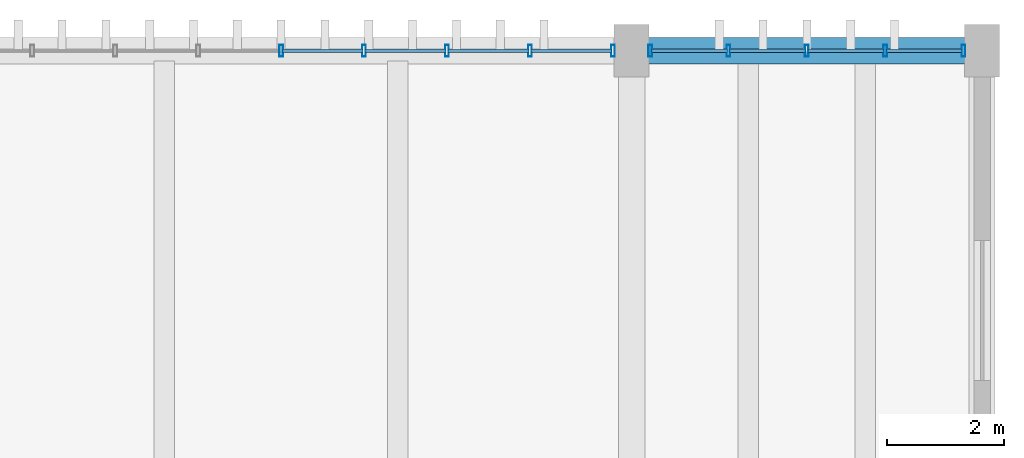
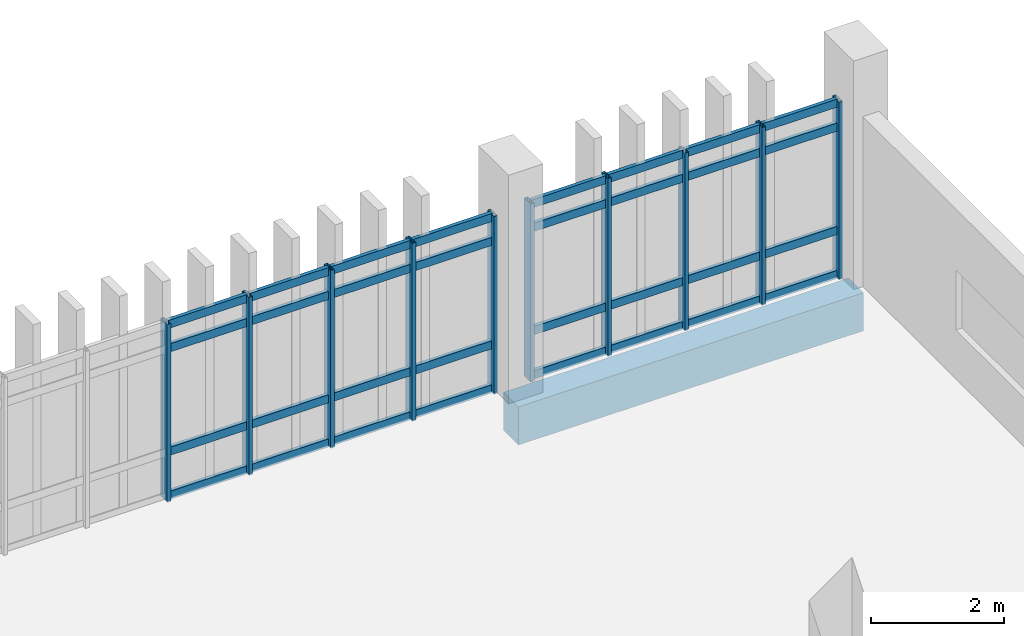
# One storey, part 120 of 161: 42 members, 1 beam, 2 elements without a shape of their own.
"""IFC4 building model written with IfcOpenShell, lengths in metres."""

from ifc_helpers import new_model, si_unit, direction, frame, origin, origin_2d, place, context, subcontext, project, spatial, rectangle, hollow_rectangle, extrude, material, layer, layer_set, material_profile, profile_set, type_object, element, aggregate, save


model = new_model("IFC4")

# Units and contexts
model_context = context("Model", 3, precision=1e-05, world=origin(), true_north=direction((0.0, 1.0)))
body_context = subcontext(model_context, "Body", "Model", "MODEL_VIEW")
ifc_project = project(units=[si_unit("LENGTHUNIT", "METRE"), si_unit("AREAUNIT", "SQUARE_METRE"), si_unit("VOLUMEUNIT", "CUBIC_METRE"), si_unit("PLANEANGLEUNIT", "RADIAN"), si_unit("MASSUNIT", "GRAM", prefix="KILO")], contexts=[model_context])

# Site, building, storey
site_placement = place(None, origin())
site = spatial("IfcSite", under=ifc_project, at=site_placement, CompositionType="ELEMENT")
building_placement = place(site_placement, origin())
building = spatial("IfcBuilding", under=site, at=building_placement, Name="Mersad Railyard Sports Hall", CompositionType="ELEMENT")
storey_placement = place(building_placement, frame((0.0, 0.0, 4.800048828125)))
storey = spatial("IfcBuildingStorey", under=building, at=storey_placement, Name="L01", CompositionType="ELEMENT", Elevation=4.800048828125)

# Curtain wall, members
ifc_material_1 = material(Name="Aluminium 6063-T6", Category="aluminium")
ifc_layer_1 = layer(ifc_material_1, 0.199951171875)
ifc_layer_set_1 = layer_set([ifc_layer_1], Name="Aluminium 6063-T6")
curtain_wall_type_1 = type_object("IfcCurtainWallType", Name="ARC-CW-CW34", PredefinedType="USERDEFINED", material=ifc_layer_set_1)
curtain_wall_1_placement = place(storey_placement, origin())
curtain_wall_1 = element("IfcCurtainWall", 1, at=curtain_wall_1_placement, inside=storey, type_object=curtain_wall_type_1, Name="Curtain wall CW34-0102", ObjectType="CURTAIN WALL", PredefinedType="USERDEFINED")
ifc_material_profile_1 = material_profile(ifc_material_1, hollow_rectangle(XDim=0.06494140625, YDim=0.199951171875, WallThickness=0.0048828125, at=origin_2d()), Name="AL MULLION 65x200x5")
ifc_profile_set_1 = profile_set([ifc_material_profile_1], Name="Aluminium 6063-T6")
member_type_1 = type_object("IfcMemberType", Name="ARC-CW-MUL02", PredefinedType="MULLION", material=ifc_profile_set_1)
member_1_placement = place(storey_placement, frame((167.0, 115.0, -0.02001953125), z_axis=(0.0, 0.0, 1.0), x_axis=(1.0, 0.0, 0.0)))
member_1 = element("IfcMember", 2, at=member_1_placement, type_object=member_type_1, Name="CW34 Mullion 5", PredefinedType="MULLION", context=body_context, shape_type="SweptSolid", body=[
    extrude(hollow_rectangle(XDim=0.06494140625, YDim=0.199951171875, WallThickness=0.0048828125, at=origin_2d()), origin(), (0.0, 0.0, 1.0), 3.27001953125),
])
member_2_placement = place(storey_placement, frame((168.419921875, 115.0, -0.02001953125), z_axis=(0.0, 0.0, 1.0), x_axis=(1.0, 0.0, 0.0)))
member_2 = element("IfcMember", 3, at=member_2_placement, type_object=member_type_1, Name="CW34 Mullion 6", PredefinedType="MULLION", context=body_context, shape_type="SweptSolid", body=[
    extrude(hollow_rectangle(XDim=0.06494140625, YDim=0.199951171875, WallThickness=0.0048828125, at=origin_2d()), origin(), (0.0, 0.0, 1.0), 3.27001953125),
])
member_3_placement = place(storey_placement, frame((169.840087890625, 115.0, -0.02001953125), z_axis=(0.0, 0.0, 1.0), x_axis=(1.0, 0.0, 0.0)))
member_3 = element("IfcMember", 4, at=member_3_placement, type_object=member_type_1, Name="CW34 Mullion 7", PredefinedType="MULLION", context=body_context, shape_type="SweptSolid", body=[
    extrude(hollow_rectangle(XDim=0.06494140625, YDim=0.199951171875, WallThickness=0.0048828125, at=origin_2d()), origin(), (0.0, 0.0, 1.0), 3.27001953125),
])
member_4_placement = place(storey_placement, frame((171.260009765625, 115.0, -0.02001953125), z_axis=(0.0, 0.0, 1.0), x_axis=(1.0, 0.0, 0.0)))
member_4 = element("IfcMember", 5, at=member_4_placement, type_object=member_type_1, Name="CW34 Mullion 8", PredefinedType="MULLION", context=body_context, shape_type="SweptSolid", body=[
    extrude(hollow_rectangle(XDim=0.06494140625, YDim=0.199951171875, WallThickness=0.0048828125, at=origin_2d()), origin(), (0.0, 0.0, 1.0), 3.27001953125),
])
member_5_placement = place(storey_placement, frame((172.679931640625, 115.0, -0.02001953125), z_axis=(0.0, 0.0, 1.0), x_axis=(1.0, 0.0, 0.0)))
member_5 = element("IfcMember", 6, at=member_5_placement, type_object=member_type_1, Name="CW34 Mullion 9", PredefinedType="MULLION", context=body_context, shape_type="SweptSolid", body=[
    extrude(hollow_rectangle(XDim=0.06494140625, YDim=0.199951171875, WallThickness=0.0048828125, at=origin_2d()), origin(), (0.0, 0.0, 1.0), 3.27001953125),
])

ifc_layer_2 = layer(ifc_material_1, 0.199951171875)
ifc_layer_set_2 = layer_set([ifc_layer_2], Name="Aluminium 6063-T6")
curtain_wall_type_2 = type_object("IfcCurtainWallType", Name="ARC-CW-CW36", PredefinedType="USERDEFINED", material=ifc_layer_set_2)
curtain_wall_2_placement = place(storey_placement, origin())
curtain_wall_2 = element("IfcCurtainWall", 7, at=curtain_wall_2_placement, inside=storey, type_object=curtain_wall_type_2, Name="Curtain wall CW36-0103", ObjectType="CURTAIN WALL", PredefinedType="USERDEFINED")
member_6_placement = place(storey_placement, frame((173.320068359375, 115.0, -0.02001953125), z_axis=(0.0, 0.0, 1.0), x_axis=(1.0, 0.0, 0.0)))
member_6 = element("IfcMember", 8, at=member_6_placement, type_object=member_type_1, Name="CW36 Mullion 1", PredefinedType="MULLION", context=body_context, shape_type="SweptSolid", body=[
    extrude(hollow_rectangle(XDim=0.06494140625, YDim=0.199951171875, WallThickness=0.0048828125, at=origin_2d()), origin(), (0.0, 0.0, 1.0), 3.27001953125),
])
member_7_placement = place(storey_placement, frame((174.659912109375, 115.0, -0.02001953125), z_axis=(0.0, 0.0, 1.0), x_axis=(1.0, 0.0, 0.0)))
member_7 = element("IfcMember", 9, at=member_7_placement, type_object=member_type_1, Name="CW36 Mullion 2", PredefinedType="MULLION", context=body_context, shape_type="SweptSolid", body=[
    extrude(hollow_rectangle(XDim=0.06494140625, YDim=0.199951171875, WallThickness=0.0048828125, at=origin_2d()), origin(), (0.0, 0.0, 1.0), 3.27001953125),
])
member_8_placement = place(storey_placement, frame((176.0, 115.0, -0.02001953125), z_axis=(0.0, 0.0, 1.0), x_axis=(1.0, 0.0, 0.0)))
member_8 = element("IfcMember", 10, at=member_8_placement, type_object=member_type_1, Name="CW36 Mullion 3", PredefinedType="MULLION", context=body_context, shape_type="SweptSolid", body=[
    extrude(hollow_rectangle(XDim=0.06494140625, YDim=0.199951171875, WallThickness=0.0048828125, at=origin_2d()), origin(), (0.0, 0.0, 1.0), 3.27001953125),
])
member_9_placement = place(storey_placement, frame((177.340087890625, 115.0, -0.02001953125), z_axis=(0.0, 0.0, 1.0), x_axis=(1.0, 0.0, 0.0)))
member_9 = element("IfcMember", 11, at=member_9_placement, type_object=member_type_1, Name="CW36 Mullion 4", PredefinedType="MULLION", context=body_context, shape_type="SweptSolid", body=[
    extrude(hollow_rectangle(XDim=0.06494140625, YDim=0.199951171875, WallThickness=0.0048828125, at=origin_2d()), origin(), (0.0, 0.0, 1.0), 3.27001953125),
])
member_10_placement = place(storey_placement, frame((178.679931640625, 115.0, -0.02001953125), z_axis=(0.0, 0.0, 1.0), x_axis=(1.0, 0.0, 0.0)))
member_10 = element("IfcMember", 12, at=member_10_placement, type_object=member_type_1, Name="CW36 Mullion 5", PredefinedType="MULLION", context=body_context, shape_type="SweptSolid", body=[
    extrude(hollow_rectangle(XDim=0.06494140625, YDim=0.199951171875, WallThickness=0.0048828125, at=origin_2d()), origin(), (0.0, 0.0, 1.0), 3.27001953125),
])

# Member
ifc_material_profile_2 = material_profile(ifc_material_1, hollow_rectangle(XDim=0.06494140625, YDim=0.14990234375, WallThickness=0.00439453125, at=origin_2d()), Name="AL TRANSOM 65x150x4.5")
ifc_profile_set_2 = profile_set([ifc_material_profile_2], Name="Aluminium 6063-T6")
member_type_2 = type_object("IfcMemberType", Name="ARC-CW-TRN02", PredefinedType="USERDEFINED", material=ifc_profile_set_2)
member_11_placement = place(storey_placement, frame((167.02001953125, 115.0, 0.0400390625), z_axis=(1.0, 0.0, 0.0), x_axis=(0.0, 1.0, 0.0)))
member_11 = element("IfcMember", 13, at=member_11_placement, type_object=member_type_2, Name="CW34 Transom 1-5", ObjectType="TRANSOM", PredefinedType="USERDEFINED", context=body_context, shape_type="SweptSolid", body=[
    extrude(hollow_rectangle(XDim=0.06494140625, YDim=0.14990234375, WallThickness=0.00439453125, at=origin_2d()), origin(), (0.0, 0.0, 1.0), 1.3798828125),
])

member_12_placement = place(storey_placement, frame((168.43994140625, 115.0, 0.0400390625), z_axis=(1.0, 0.0, 0.0), x_axis=(0.0, 1.0, 0.0)))
member_12 = element("IfcMember", 14, at=member_12_placement, type_object=member_type_2, Name="CW34 Transom 1-6", ObjectType="TRANSOM", PredefinedType="USERDEFINED", context=body_context, shape_type="SweptSolid", body=[
    extrude(hollow_rectangle(XDim=0.06494140625, YDim=0.14990234375, WallThickness=0.00439453125, at=origin_2d()), origin(), (0.0, 0.0, 1.0), 1.380126953125),
])

member_13_placement = place(storey_placement, frame((169.860107421875, 115.0, 0.0400390625), z_axis=(1.0, 0.0, 0.0), x_axis=(0.0, 1.0, 0.0)))
member_13 = element("IfcMember", 15, at=member_13_placement, type_object=member_type_2, Name="CW34 Transom 1-7", ObjectType="TRANSOM", PredefinedType="USERDEFINED", context=body_context, shape_type="SweptSolid", body=[
    extrude(hollow_rectangle(XDim=0.06494140625, YDim=0.14990234375, WallThickness=0.00439453125, at=origin_2d()), origin(), (0.0, 0.0, 1.0), 1.3798828125),
])

member_14_placement = place(storey_placement, frame((171.280029296875, 115.0, 0.0400390625), z_axis=(1.0, 0.0, 0.0), x_axis=(0.0, 1.0, 0.0)))
member_14 = element("IfcMember", 16, at=member_14_placement, type_object=member_type_2, Name="CW34 Transom 1-8", ObjectType="TRANSOM", PredefinedType="USERDEFINED", context=body_context, shape_type="SweptSolid", body=[
    extrude(hollow_rectangle(XDim=0.06494140625, YDim=0.14990234375, WallThickness=0.00439453125, at=origin_2d()), origin(), (0.0, 0.0, 1.0), 1.3798828125),
])

member_15_placement = place(storey_placement, frame((167.02001953125, 115.0, 0.849853515625), z_axis=(1.0, 0.0, 0.0), x_axis=(0.0, 1.0, 0.0)))
member_15 = element("IfcMember", 17, at=member_15_placement, type_object=member_type_2, Name="CW34 Transom 2-5", ObjectType="TRANSOM", PredefinedType="USERDEFINED", context=body_context, shape_type="SweptSolid", body=[
    extrude(hollow_rectangle(XDim=0.06494140625, YDim=0.14990234375, WallThickness=0.00439453125, at=origin_2d()), origin(), (0.0, 0.0, 1.0), 1.3798828125),
])

member_16_placement = place(storey_placement, frame((168.43994140625, 115.0, 0.849853515625), z_axis=(1.0, 0.0, 0.0), x_axis=(0.0, 1.0, 0.0)))
member_16 = element("IfcMember", 18, at=member_16_placement, type_object=member_type_2, Name="CW34 Transom 2-6", ObjectType="TRANSOM", PredefinedType="USERDEFINED", context=body_context, shape_type="SweptSolid", body=[
    extrude(hollow_rectangle(XDim=0.06494140625, YDim=0.14990234375, WallThickness=0.00439453125, at=origin_2d()), origin(), (0.0, 0.0, 1.0), 1.380126953125),
])

member_17_placement = place(storey_placement, frame((169.860107421875, 115.0, 0.849853515625), z_axis=(1.0, 0.0, 0.0), x_axis=(0.0, 1.0, 0.0)))
member_17 = element("IfcMember", 19, at=member_17_placement, type_object=member_type_2, Name="CW34 Transom 2-7", ObjectType="TRANSOM", PredefinedType="USERDEFINED", context=body_context, shape_type="SweptSolid", body=[
    extrude(hollow_rectangle(XDim=0.06494140625, YDim=0.14990234375, WallThickness=0.00439453125, at=origin_2d()), origin(), (0.0, 0.0, 1.0), 1.3798828125),
])

member_18_placement = place(storey_placement, frame((171.280029296875, 115.0, 0.849853515625), z_axis=(1.0, 0.0, 0.0), x_axis=(0.0, 1.0, 0.0)))
member_18 = element("IfcMember", 20, at=member_18_placement, type_object=member_type_2, Name="CW34 Transom 2-8", ObjectType="TRANSOM", PredefinedType="USERDEFINED", context=body_context, shape_type="SweptSolid", body=[
    extrude(hollow_rectangle(XDim=0.06494140625, YDim=0.14990234375, WallThickness=0.00439453125, at=origin_2d()), origin(), (0.0, 0.0, 1.0), 1.3798828125),
])

member_19_placement = place(storey_placement, frame((167.02001953125, 115.0, 2.75), z_axis=(1.0, 0.0, 0.0), x_axis=(0.0, 1.0, 0.0)))
member_19 = element("IfcMember", 21, at=member_19_placement, type_object=member_type_2, Name="CW34 Transom 3-5", ObjectType="TRANSOM", PredefinedType="USERDEFINED", context=body_context, shape_type="SweptSolid", body=[
    extrude(hollow_rectangle(XDim=0.06494140625, YDim=0.14990234375, WallThickness=0.00439453125, at=origin_2d()), origin(), (0.0, 0.0, 1.0), 1.3798828125),
])

member_20_placement = place(storey_placement, frame((168.43994140625, 115.0, 2.75), z_axis=(1.0, 0.0, 0.0), x_axis=(0.0, 1.0, 0.0)))
member_20 = element("IfcMember", 22, at=member_20_placement, type_object=member_type_2, Name="CW34 Transom 3-6", ObjectType="TRANSOM", PredefinedType="USERDEFINED", context=body_context, shape_type="SweptSolid", body=[
    extrude(hollow_rectangle(XDim=0.06494140625, YDim=0.14990234375, WallThickness=0.00439453125, at=origin_2d()), origin(), (0.0, 0.0, 1.0), 1.380126953125),
])

member_21_placement = place(storey_placement, frame((169.860107421875, 115.0, 2.75), z_axis=(1.0, 0.0, 0.0), x_axis=(0.0, 1.0, 0.0)))
member_21 = element("IfcMember", 23, at=member_21_placement, type_object=member_type_2, Name="CW34 Transom 3-7", ObjectType="TRANSOM", PredefinedType="USERDEFINED", context=body_context, shape_type="SweptSolid", body=[
    extrude(hollow_rectangle(XDim=0.06494140625, YDim=0.14990234375, WallThickness=0.00439453125, at=origin_2d()), origin(), (0.0, 0.0, 1.0), 1.3798828125),
])

member_22_placement = place(storey_placement, frame((171.280029296875, 115.0, 2.75), z_axis=(1.0, 0.0, 0.0), x_axis=(0.0, 1.0, 0.0)))
member_22 = element("IfcMember", 24, at=member_22_placement, type_object=member_type_2, Name="CW34 Transom 3-8", ObjectType="TRANSOM", PredefinedType="USERDEFINED", context=body_context, shape_type="SweptSolid", body=[
    extrude(hollow_rectangle(XDim=0.06494140625, YDim=0.14990234375, WallThickness=0.00439453125, at=origin_2d()), origin(), (0.0, 0.0, 1.0), 1.3798828125),
])

member_23_placement = place(storey_placement, frame((167.02001953125, 115.0, 3.18994140625), z_axis=(1.0, 0.0, 0.0), x_axis=(0.0, 1.0, 0.0)))
member_23 = element("IfcMember", 25, at=member_23_placement, type_object=member_type_2, Name="CW34 Transom 4-5", ObjectType="TRANSOM", PredefinedType="USERDEFINED", context=body_context, shape_type="SweptSolid", body=[
    extrude(hollow_rectangle(XDim=0.06494140625, YDim=0.14990234375, WallThickness=0.00439453125, at=origin_2d()), origin(), (0.0, 0.0, 1.0), 1.3798828125),
])

member_24_placement = place(storey_placement, frame((168.43994140625, 115.0, 3.18994140625), z_axis=(1.0, 0.0, 0.0), x_axis=(0.0, 1.0, 0.0)))
member_24 = element("IfcMember", 26, at=member_24_placement, type_object=member_type_2, Name="CW34 Transom 4-6", ObjectType="TRANSOM", PredefinedType="USERDEFINED", context=body_context, shape_type="SweptSolid", body=[
    extrude(hollow_rectangle(XDim=0.06494140625, YDim=0.14990234375, WallThickness=0.00439453125, at=origin_2d()), origin(), (0.0, 0.0, 1.0), 1.380126953125),
])

member_25_placement = place(storey_placement, frame((169.860107421875, 115.0, 3.18994140625), z_axis=(1.0, 0.0, 0.0), x_axis=(0.0, 1.0, 0.0)))
member_25 = element("IfcMember", 27, at=member_25_placement, type_object=member_type_2, Name="CW34 Transom 4-7", ObjectType="TRANSOM", PredefinedType="USERDEFINED", context=body_context, shape_type="SweptSolid", body=[
    extrude(hollow_rectangle(XDim=0.06494140625, YDim=0.14990234375, WallThickness=0.00439453125, at=origin_2d()), origin(), (0.0, 0.0, 1.0), 1.3798828125),
])

member_26_placement = place(storey_placement, frame((171.280029296875, 115.0, 3.18994140625), z_axis=(1.0, 0.0, 0.0), x_axis=(0.0, 1.0, 0.0)))
member_26 = element("IfcMember", 28, at=member_26_placement, type_object=member_type_2, Name="CW34 Transom 4-8", ObjectType="TRANSOM", PredefinedType="USERDEFINED", context=body_context, shape_type="SweptSolid", body=[
    extrude(hollow_rectangle(XDim=0.06494140625, YDim=0.14990234375, WallThickness=0.00439453125, at=origin_2d()), origin(), (0.0, 0.0, 1.0), 1.3798828125),
])

aggregate(curtain_wall_1, [member_1, member_2, member_3, member_4, member_5, member_11, member_12, member_13, member_14, member_15, member_16, member_17, member_18, member_19, member_20, member_21, member_22, member_23, member_24, member_25, member_26])

member_27_placement = place(storey_placement, frame((173.340087890625, 115.0, 0.0400390625), z_axis=(1.0, 0.0, 0.0), x_axis=(0.0, 1.0, 0.0)))
member_27 = element("IfcMember", 29, at=member_27_placement, type_object=member_type_2, Name="CW36 Transom 1-1", ObjectType="TRANSOM", PredefinedType="USERDEFINED", context=body_context, shape_type="SweptSolid", body=[
    extrude(hollow_rectangle(XDim=0.06494140625, YDim=0.14990234375, WallThickness=0.00439453125, at=origin_2d()), origin(), (0.0, 0.0, 1.0), 1.2998046875),
])

member_28_placement = place(storey_placement, frame((174.679931640625, 115.0, 0.0400390625), z_axis=(1.0, 0.0, 0.0), x_axis=(0.0, 1.0, 0.0)))
member_28 = element("IfcMember", 30, at=member_28_placement, type_object=member_type_2, Name="CW36 Transom 1-2", ObjectType="TRANSOM", PredefinedType="USERDEFINED", context=body_context, shape_type="SweptSolid", body=[
    extrude(hollow_rectangle(XDim=0.06494140625, YDim=0.14990234375, WallThickness=0.00439453125, at=origin_2d()), origin(), (0.0, 0.0, 1.0), 1.300048828125),
])

member_29_placement = place(storey_placement, frame((176.02001953125, 115.0, 0.0400390625), z_axis=(1.0, 0.0, 0.0), x_axis=(0.0, 1.0, 0.0)))
member_29 = element("IfcMember", 31, at=member_29_placement, type_object=member_type_2, Name="CW36 Transom 1-3", ObjectType="TRANSOM", PredefinedType="USERDEFINED", context=body_context, shape_type="SweptSolid", body=[
    extrude(hollow_rectangle(XDim=0.06494140625, YDim=0.14990234375, WallThickness=0.00439453125, at=origin_2d()), origin(), (0.0, 0.0, 1.0), 1.300048828125),
])

member_30_placement = place(storey_placement, frame((177.360107421875, 115.0, 0.0400390625), z_axis=(1.0, 0.0, 0.0), x_axis=(0.0, 1.0, 0.0)))
member_30 = element("IfcMember", 32, at=member_30_placement, type_object=member_type_2, Name="CW36 Transom 1-4", ObjectType="TRANSOM", PredefinedType="USERDEFINED", context=body_context, shape_type="SweptSolid", body=[
    extrude(hollow_rectangle(XDim=0.06494140625, YDim=0.14990234375, WallThickness=0.00439453125, at=origin_2d()), origin(), (0.0, 0.0, 1.0), 1.2998046875),
])

member_31_placement = place(storey_placement, frame((173.340087890625, 115.0, 0.849853515625), z_axis=(1.0, 0.0, 0.0), x_axis=(0.0, 1.0, 0.0)))
member_31 = element("IfcMember", 33, at=member_31_placement, type_object=member_type_2, Name="CW36 Transom 2-1", ObjectType="TRANSOM", PredefinedType="USERDEFINED", context=body_context, shape_type="SweptSolid", body=[
    extrude(hollow_rectangle(XDim=0.06494140625, YDim=0.14990234375, WallThickness=0.00439453125, at=origin_2d()), origin(), (0.0, 0.0, 1.0), 1.2998046875),
])

member_32_placement = place(storey_placement, frame((174.679931640625, 115.0, 0.849853515625), z_axis=(1.0, 0.0, 0.0), x_axis=(0.0, 1.0, 0.0)))
member_32 = element("IfcMember", 34, at=member_32_placement, type_object=member_type_2, Name="CW36 Transom 2-2", ObjectType="TRANSOM", PredefinedType="USERDEFINED", context=body_context, shape_type="SweptSolid", body=[
    extrude(hollow_rectangle(XDim=0.06494140625, YDim=0.14990234375, WallThickness=0.00439453125, at=origin_2d()), origin(), (0.0, 0.0, 1.0), 1.300048828125),
])

member_33_placement = place(storey_placement, frame((176.02001953125, 115.0, 0.849853515625), z_axis=(1.0, 0.0, 0.0), x_axis=(0.0, 1.0, 0.0)))
member_33 = element("IfcMember", 35, at=member_33_placement, type_object=member_type_2, Name="CW36 Transom 2-3", ObjectType="TRANSOM", PredefinedType="USERDEFINED", context=body_context, shape_type="SweptSolid", body=[
    extrude(hollow_rectangle(XDim=0.06494140625, YDim=0.14990234375, WallThickness=0.00439453125, at=origin_2d()), origin(), (0.0, 0.0, 1.0), 1.300048828125),
])

member_34_placement = place(storey_placement, frame((177.360107421875, 115.0, 0.849853515625), z_axis=(1.0, 0.0, 0.0), x_axis=(0.0, 1.0, 0.0)))
member_34 = element("IfcMember", 36, at=member_34_placement, type_object=member_type_2, Name="CW36 Transom 2-4", ObjectType="TRANSOM", PredefinedType="USERDEFINED", context=body_context, shape_type="SweptSolid", body=[
    extrude(hollow_rectangle(XDim=0.06494140625, YDim=0.14990234375, WallThickness=0.00439453125, at=origin_2d()), origin(), (0.0, 0.0, 1.0), 1.2998046875),
])

member_35_placement = place(storey_placement, frame((173.340087890625, 115.0, 2.75), z_axis=(1.0, 0.0, 0.0), x_axis=(0.0, 1.0, 0.0)))
member_35 = element("IfcMember", 37, at=member_35_placement, type_object=member_type_2, Name="CW36 Transom 3-1", ObjectType="TRANSOM", PredefinedType="USERDEFINED", context=body_context, shape_type="SweptSolid", body=[
    extrude(hollow_rectangle(XDim=0.06494140625, YDim=0.14990234375, WallThickness=0.00439453125, at=origin_2d()), origin(), (0.0, 0.0, 1.0), 1.2998046875),
])

member_36_placement = place(storey_placement, frame((174.679931640625, 115.0, 2.75), z_axis=(1.0, 0.0, 0.0), x_axis=(0.0, 1.0, 0.0)))
member_36 = element("IfcMember", 38, at=member_36_placement, type_object=member_type_2, Name="CW36 Transom 3-2", ObjectType="TRANSOM", PredefinedType="USERDEFINED", context=body_context, shape_type="SweptSolid", body=[
    extrude(hollow_rectangle(XDim=0.06494140625, YDim=0.14990234375, WallThickness=0.00439453125, at=origin_2d()), origin(), (0.0, 0.0, 1.0), 1.300048828125),
])

member_37_placement = place(storey_placement, frame((176.02001953125, 115.0, 2.75), z_axis=(1.0, 0.0, 0.0), x_axis=(0.0, 1.0, 0.0)))
member_37 = element("IfcMember", 39, at=member_37_placement, type_object=member_type_2, Name="CW36 Transom 3-3", ObjectType="TRANSOM", PredefinedType="USERDEFINED", context=body_context, shape_type="SweptSolid", body=[
    extrude(hollow_rectangle(XDim=0.06494140625, YDim=0.14990234375, WallThickness=0.00439453125, at=origin_2d()), origin(), (0.0, 0.0, 1.0), 1.300048828125),
])

member_38_placement = place(storey_placement, frame((177.360107421875, 115.0, 2.75), z_axis=(1.0, 0.0, 0.0), x_axis=(0.0, 1.0, 0.0)))
member_38 = element("IfcMember", 40, at=member_38_placement, type_object=member_type_2, Name="CW36 Transom 3-4", ObjectType="TRANSOM", PredefinedType="USERDEFINED", context=body_context, shape_type="SweptSolid", body=[
    extrude(hollow_rectangle(XDim=0.06494140625, YDim=0.14990234375, WallThickness=0.00439453125, at=origin_2d()), origin(), (0.0, 0.0, 1.0), 1.2998046875),
])

member_39_placement = place(storey_placement, frame((173.340087890625, 115.0, 3.18994140625), z_axis=(1.0, 0.0, 0.0), x_axis=(0.0, 1.0, 0.0)))
member_39 = element("IfcMember", 41, at=member_39_placement, type_object=member_type_2, Name="CW36 Transom 4-1", ObjectType="TRANSOM", PredefinedType="USERDEFINED", context=body_context, shape_type="SweptSolid", body=[
    extrude(hollow_rectangle(XDim=0.06494140625, YDim=0.14990234375, WallThickness=0.00439453125, at=origin_2d()), origin(), (0.0, 0.0, 1.0), 1.2998046875),
])

member_40_placement = place(storey_placement, frame((174.679931640625, 115.0, 3.18994140625), z_axis=(1.0, 0.0, 0.0), x_axis=(0.0, 1.0, 0.0)))
member_40 = element("IfcMember", 42, at=member_40_placement, type_object=member_type_2, Name="CW36 Transom 4-2", ObjectType="TRANSOM", PredefinedType="USERDEFINED", context=body_context, shape_type="SweptSolid", body=[
    extrude(hollow_rectangle(XDim=0.06494140625, YDim=0.14990234375, WallThickness=0.00439453125, at=origin_2d()), origin(), (0.0, 0.0, 1.0), 1.300048828125),
])

member_41_placement = place(storey_placement, frame((176.02001953125, 115.0, 3.18994140625), z_axis=(1.0, 0.0, 0.0), x_axis=(0.0, 1.0, 0.0)))
member_41 = element("IfcMember", 43, at=member_41_placement, type_object=member_type_2, Name="CW36 Transom 4-3", ObjectType="TRANSOM", PredefinedType="USERDEFINED", context=body_context, shape_type="SweptSolid", body=[
    extrude(hollow_rectangle(XDim=0.06494140625, YDim=0.14990234375, WallThickness=0.00439453125, at=origin_2d()), origin(), (0.0, 0.0, 1.0), 1.300048828125),
])

member_42_placement = place(storey_placement, frame((177.360107421875, 115.0, 3.18994140625), z_axis=(1.0, 0.0, 0.0), x_axis=(0.0, 1.0, 0.0)))
member_42 = element("IfcMember", 44, at=member_42_placement, type_object=member_type_2, Name="CW36 Transom 4-4", ObjectType="TRANSOM", PredefinedType="USERDEFINED", context=body_context, shape_type="SweptSolid", body=[
    extrude(hollow_rectangle(XDim=0.06494140625, YDim=0.14990234375, WallThickness=0.00439453125, at=origin_2d()), origin(), (0.0, 0.0, 1.0), 1.2998046875),
])

aggregate(curtain_wall_2, [member_6, member_7, member_8, member_9, member_10, member_27, member_28, member_29, member_30, member_31, member_32, member_33, member_34, member_35, member_36, member_37, member_38, member_39, member_40, member_41, member_42])

# Beam
ifc_material_2 = material(Name="Architectural concrete C40/50", Category="concrete")
ifc_material_profile_3 = material_profile(ifc_material_2, rectangle(XDim=0.449951171875, YDim=0.699951171875, at=origin_2d()), Name="RC 450x700")
ifc_profile_set_3 = profile_set([ifc_material_profile_3], Name="Architectural concrete C40/50")
beam_type = type_object("IfcBeamType", Name="STR-BM-SP01", PredefinedType="SPANDREL", material=ifc_profile_set_3)
beam_placement = place(storey_placement, frame((173.0, 115.0, -0.650146484375), z_axis=(1.0, 0.0, 0.0), x_axis=(0.0, 1.0, 0.0)))
element("IfcBeam", 45, at=beam_placement, inside=storey, type_object=beam_type, Name="Beam SP01-0995", PredefinedType="SPANDREL", context=body_context, shape_type="SweptSolid", body=[
    extrude(rectangle(XDim=0.449951171875, YDim=0.699951171875, at=origin_2d()), origin(), (0.0, 0.0, 1.0), 6.0),
])

save(model, "model.ifc")
